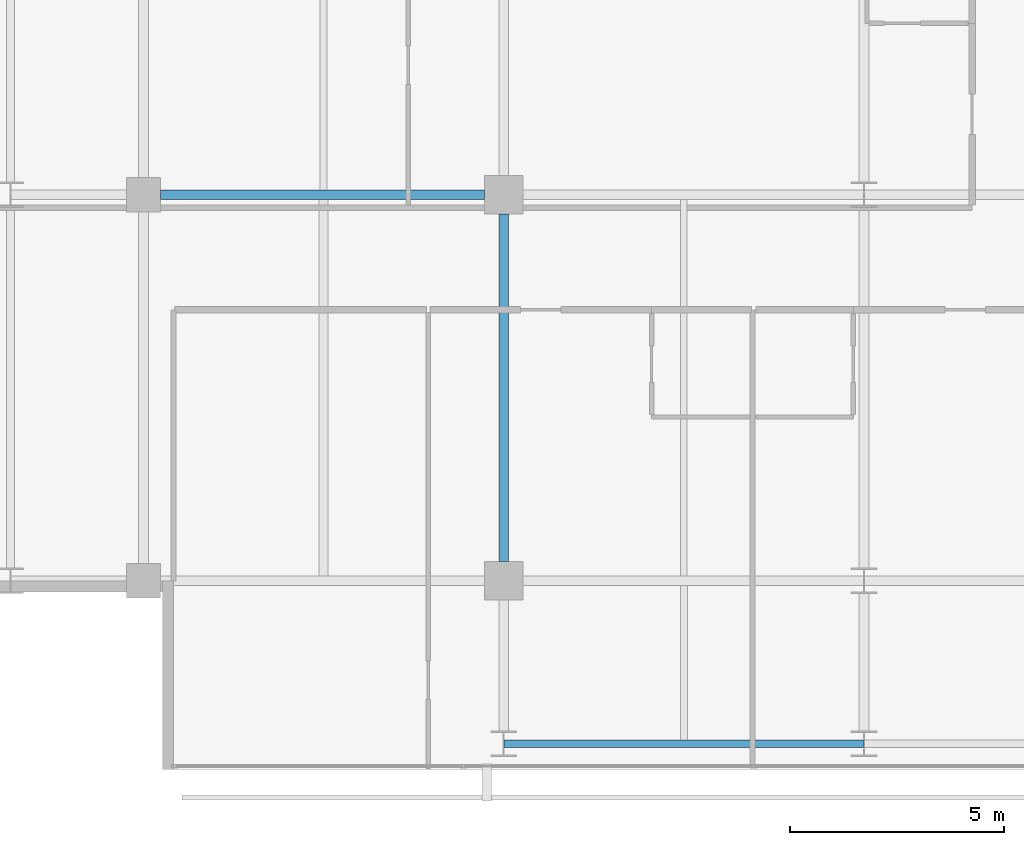
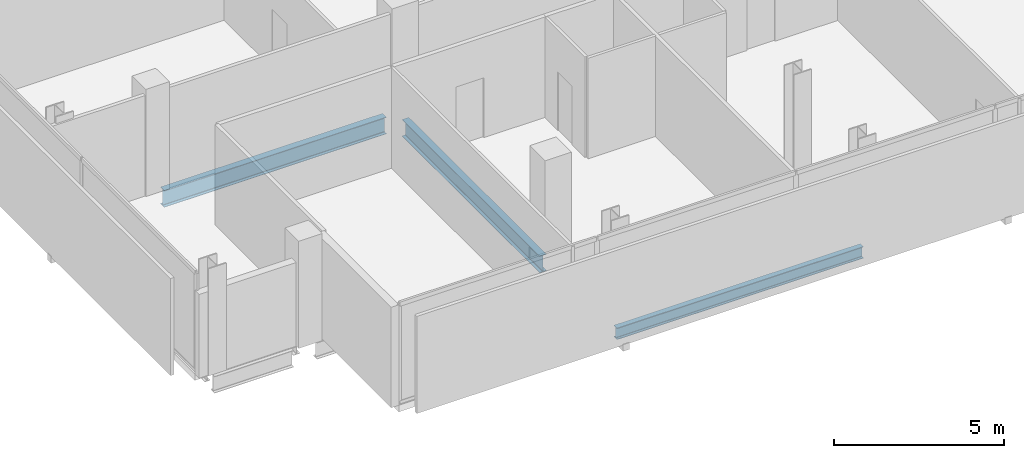
# One storey, part 5 of 32: 3 beams.
"""IFC4 building model written with IfcOpenShell, lengths in metres."""

from ifc_helpers import new_model, si_unit, direction, frame, origin, origin_2d, place, context, subcontext, project, spatial, i_section, extrude, material, material_profile, profile_set, type_object, element, save


model = new_model("IFC4")

# Units and contexts
model_context = context("Model", 3, precision=1e-05, world=origin(), true_north=direction((0.0, 1.0)))
body_context = subcontext(model_context, "Body", "Model", "MODEL_VIEW")
ifc_project = project(units=[si_unit("LENGTHUNIT", "METRE"), si_unit("AREAUNIT", "SQUARE_METRE"), si_unit("VOLUMEUNIT", "CUBIC_METRE"), si_unit("PLANEANGLEUNIT", "RADIAN"), si_unit("MASSUNIT", "GRAM", prefix="KILO")], contexts=[model_context])

# Site, building, storey
site_placement = place(None, origin())
site = spatial("IfcSite", under=ifc_project, at=site_placement, CompositionType="ELEMENT")
building_placement = place(site_placement, origin())
building = spatial("IfcBuilding", under=site, at=building_placement, Name="Maruvema Waterfront Hotel and Observation Tower", CompositionType="ELEMENT")
storey_placement = place(building_placement, frame((0.0, 0.0, 165.89990234375)))
storey = spatial("IfcBuildingStorey", under=building, at=storey_placement, Name="L40", CompositionType="ELEMENT", Elevation=165.89990234375)

# Beams
ifc_material_1 = material(Name="Steel ASTM A572 Grade 50", Category="steel")
ifc_material_profile_1 = material_profile(ifc_material_1, i_section(OverallWidth=0.180908203125, OverallDepth=0.4169921875, WebThickness=0.010986328125, FlangeThickness=0.018310546875, FilletRadius=0.014892578125, at=origin_2d()), Name="W410x85.0")
ifc_profile_set_1 = profile_set([ifc_material_profile_1], Name="Steel ASTM A572 Grade 50")
beam_type_1 = type_object("IfcBeamType", Name="Perimeter Spandrel Beam W410x85.0", PredefinedType="SPANDREL", material=ifc_profile_set_1)
beam_1_placement = place(storey_placement, frame((25.21240234375, 5.199951171875, -0.448486328125), z_axis=(1.0, 0.0, 0.0), x_axis=(0.0, 1.0, 0.0)))
element("IfcBeam", 1, at=beam_1_placement, inside=storey, type_object=beam_type_1, Name="L40 Floor Girder EW-01", PredefinedType="SPANDREL", context=body_context, shape_type="SweptSolid", body=[
    extrude(i_section(OverallWidth=0.180908203125, OverallDepth=0.4169921875, WebThickness=0.010986328125, FlangeThickness=0.018310546875, FilletRadius=0.014892578125, at=origin_2d()), origin(), (0.0, 0.0, 1.0), 8.375),
])
ifc_material_2 = material(Name="Steel ASTM A572 Grade 50", Category="steel")
ifc_material_profile_2 = material_profile(ifc_material_2, i_section(OverallWidth=0.22802734375, OverallDepth=0.60302734375, WebThickness=0.010498046875, FlangeThickness=0.014892578125, FilletRadius=0.01806640625, at=origin_2d()), Name="W610x101.0")
ifc_profile_set_2 = profile_set([ifc_material_profile_2], Name="Steel ASTM A572 Grade 50")
beam_type_2 = type_object("IfcBeamType", Name="Primary Floor Girder W610x101.0", PredefinedType="BEAM", material=ifc_profile_set_2)
beam_2_placement = place(storey_placement, frame((17.199951171875, 18.0, -0.54150390625), z_axis=(1.0, 0.0, 0.0), x_axis=(0.0, 1.0, 0.0)))
element("IfcBeam", 2, at=beam_2_placement, inside=storey, type_object=beam_type_2, Name="L40 Floor Girder EW-12", PredefinedType="BEAM", context=body_context, shape_type="SweptSolid", body=[
    extrude(i_section(OverallWidth=0.22802734375, OverallDepth=0.60302734375, WebThickness=0.010498046875, FlangeThickness=0.014892578125, FilletRadius=0.01806640625, at=origin_2d()), origin(), (0.0, 0.0, 1.0), 7.550048828125),
])
beam_3_placement = place(storey_placement, frame((25.199951171875, 9.449951171875, -0.54150390625), z_axis=(0.0, 1.0, 0.0), x_axis=(-1.0, 0.0, 0.0)))
element("IfcBeam", 3, at=beam_3_placement, inside=storey, type_object=beam_type_2, Name="L40 Floor Girder NS-10", PredefinedType="BEAM", context=body_context, shape_type="SweptSolid", body=[
    extrude(i_section(OverallWidth=0.22802734375, OverallDepth=0.60302734375, WebThickness=0.010498046875, FlangeThickness=0.014892578125, FilletRadius=0.01806640625, at=origin_2d()), origin(), (0.0, 0.0, 1.0), 8.10009765625),
])

save(model, "model.ifc")
